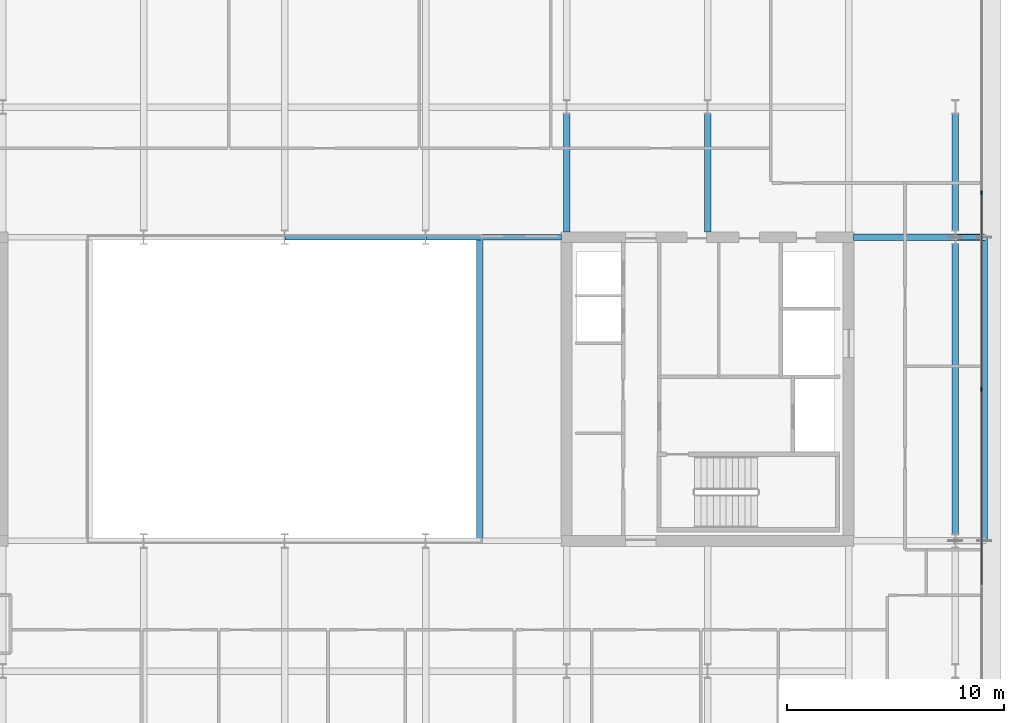
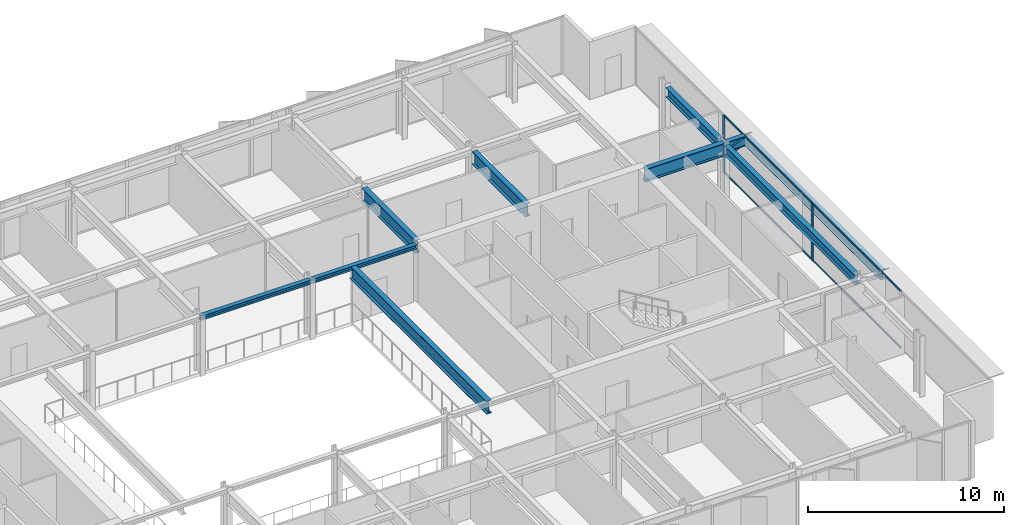
# One storey, part 7 of 19: 10 beams, 7 members, 1 element without a shape of its own.
"""IFC4 building model written with IfcOpenShell, lengths in metres."""

from ifc_helpers import new_model, si_unit, direction, frame, origin, origin_2d, place, context, subcontext, project, spatial, rectangle, hollow_rectangle, i_section, extrude, material, layer, layer_set, material_profile, profile_set, type_object, element, aggregate, save


model = new_model("IFC4")

# Units and contexts
model_context = context("Model", 3, precision=1e-05, world=origin(), true_north=direction((0.0, 1.0)))
body_context = subcontext(model_context, "Body", "Model", "MODEL_VIEW")
ifc_project = project(units=[si_unit("LENGTHUNIT", "METRE"), si_unit("AREAUNIT", "SQUARE_METRE"), si_unit("VOLUMEUNIT", "CUBIC_METRE"), si_unit("PLANEANGLEUNIT", "RADIAN"), si_unit("MASSUNIT", "GRAM", prefix="KILO")], contexts=[model_context])

# Site, building, storey
site_placement = place(None, origin())
site = spatial("IfcSite", under=ifc_project, at=site_placement, CompositionType="ELEMENT")
building_placement = place(site_placement, origin())
building = spatial("IfcBuilding", under=site, at=building_placement, Name="Putna Gate Headquarters", CompositionType="ELEMENT")
storey_placement = place(building_placement, frame((0.0, 0.0, 267.0)))
storey = spatial("IfcBuildingStorey", under=building, at=storey_placement, Name="L67", CompositionType="ELEMENT", Elevation=267.0)

# Beams
ifc_material_1 = material(Name="Steel S355J2", Category="steel")
ifc_material_profile_1 = material_profile(ifc_material_1, i_section(OverallWidth=0.260009765625, OverallDepth=0.260009765625, WebThickness=0.010009765625, FlangeThickness=0.017578125, at=origin_2d()), Name="Steel S355J2")
ifc_profile_set_1 = profile_set([ifc_material_profile_1], Name="Steel S355J2")
beam_type_1 = type_object("IfcBeamType", Name="BM-ATRIUM-HEB260", PredefinedType="BEAM", material=ifc_profile_set_1)
beam_1_placement = place(storey_placement, frame((39.006103515625, 33.0, 3.4580078125), z_axis=(1.0, 0.0, 0.0), x_axis=(0.0, 1.0, 0.0)))
element("IfcBeam", 1, at=beam_1_placement, inside=storey, type_object=beam_type_1, Name="L67 Atrium Edge Beam AN3", PredefinedType="BEAM", context=body_context, shape_type="SweptSolid", body=[
    extrude(i_section(OverallWidth=0.260009765625, OverallDepth=0.260009765625, WebThickness=0.010009765625, FlangeThickness=0.017578125, at=origin_2d()), origin(), (0.0, 0.0, 1.0), 6.48779296875),
])
beam_2_placement = place(storey_placement, frame((45.506103515625, 33.0, 3.4580078125), z_axis=(1.0, 0.0, 0.0), x_axis=(0.0, 1.0, 0.0)))
element("IfcBeam", 2, at=beam_2_placement, inside=storey, type_object=beam_type_1, Name="L67 Atrium Edge Beam AN4", PredefinedType="BEAM", context=body_context, shape_type="SweptSolid", body=[
    extrude(i_section(OverallWidth=0.260009765625, OverallDepth=0.260009765625, WebThickness=0.010009765625, FlangeThickness=0.017578125, at=origin_2d()), origin(), (0.0, 0.0, 1.0), 6.2587890625),
])
ifc_material_profile_2 = material_profile(ifc_material_1, i_section(OverallWidth=0.300048828125, OverallDepth=0.800048828125, WebThickness=0.017578125, FlangeThickness=0.032958984375, at=origin_2d()), Name="Steel S355J2")
ifc_profile_set_2 = profile_set([ifc_material_profile_2], Name="Steel S355J2")
beam_type_2 = type_object("IfcBeamType", Name="BM-GIRD-P-HEB800", PredefinedType="USERDEFINED", material=ifc_profile_set_2)
beam_3_placement = place(storey_placement, frame((65.235107421875, 33.0, 3.18798828125), z_axis=(1.0, 0.0, 0.0), x_axis=(0.0, 1.0, 0.0)))
element("IfcBeam", 3, at=beam_3_placement, inside=storey, type_object=beam_type_2, Name="L67 East Wing Girder Y33", ObjectType="GIRDER", PredefinedType="USERDEFINED", context=body_context, shape_type="SweptSolid", body=[
    extrude(i_section(OverallWidth=0.300048828125, OverallDepth=0.800048828125, WebThickness=0.017578125, FlangeThickness=0.032958984375, at=origin_2d()), origin(), (0.0, 0.0, 1.0), 4.678955078125),
])
for number, where, z_axis, x_axis, name in (
    (4, (52.0, 33.235107421875, 3.18798828125), (0.0, 1.0, 0.0), (-1.0, 0.0, 0.0), "L67 North Primary Girder X52-1"),
    (5, (58.5, 33.235107421875, 3.18798828125), (0.0, 1.0, 0.0), (-1.0, 0.0, 0.0), "L67 North Primary Girder X58-1"),
):
    element("IfcBeam", number, at=place(storey_placement, frame(where, z_axis=z_axis, x_axis=x_axis)), inside=storey, type_object=beam_type_2, Name=name, ObjectType="GIRDER", PredefinedType="USERDEFINED", context=body_context, shape_type="SweptSolid", body=[
        extrude(i_section(OverallWidth=0.300048828125, OverallDepth=0.800048828125, WebThickness=0.017578125, FlangeThickness=0.032958984375, at=origin_2d()), origin(), (0.0, 0.0, 1.0), 5.44287109375),
    ])
beam_4_placement = place(storey_placement, frame((48.0, 19.010009765625, 3.18798828125), z_axis=(0.0, 1.0, 0.0), x_axis=(-1.0, 0.0, 0.0)))
element("IfcBeam", 6, at=beam_4_placement, inside=storey, type_object=beam_type_2, Name="L67 Atrium Trim Girder AE", ObjectType="GIRDER", PredefinedType="USERDEFINED", context=body_context, shape_type="SweptSolid", body=[
    extrude(i_section(OverallWidth=0.300048828125, OverallDepth=0.800048828125, WebThickness=0.017578125, FlangeThickness=0.032958984375, at=origin_2d()), origin(), (0.0, 0.0, 1.0), 13.97998046875),
])
ifc_material_profile_3 = material_profile(ifc_material_1, i_section(OverallWidth=0.300048828125, OverallDepth=0.60009765625, WebThickness=0.015380859375, FlangeThickness=0.030029296875, at=origin_2d()), Name="Steel S355J2")
ifc_profile_set_3 = profile_set([ifc_material_profile_3], Name="Steel S355J2")
beam_type_3 = type_object("IfcBeamType", Name="BM-GIRD-SAIL-HEB600", PredefinedType="USERDEFINED", material=ifc_profile_set_3)
beam_5_placement = place(storey_placement, frame((69.926025390625, 33.0, 3.2880859375), z_axis=(1.0, 0.0, 0.0), x_axis=(0.0, 1.0, 0.0)))
element("IfcBeam", 7, at=beam_5_placement, inside=storey, type_object=beam_type_3, Name="L67 East Sail Outrigger Bracket Y33", ObjectType="GIRDER", PredefinedType="USERDEFINED", context=body_context, shape_type="SweptSolid", body=[
    extrude(i_section(OverallWidth=0.300048828125, OverallDepth=0.60009765625, WebThickness=0.015380859375, FlangeThickness=0.030029296875, at=origin_2d()), origin(), (0.0, 0.0, 1.0), 1.336669921875),
])
ifc_material_profile_4 = material_profile(ifc_material_1, i_section(OverallWidth=0.300048828125, OverallDepth=0.590087890625, WebThickness=0.012939453125, FlangeThickness=0.02490234375, at=origin_2d()), Name="Steel S355J2")
ifc_profile_set_4 = profile_set([ifc_material_profile_4], Name="Steel S355J2")
beam_type_4 = type_object("IfcBeamType", Name="BM-SPAN-Z4-HEA600", PredefinedType="SPANDREL", material=ifc_profile_set_4)
beam_6_placement = place(storey_placement, frame((69.919921875, 19.322021484375, 3.29296875), z_axis=(0.0, 1.0, 0.0), x_axis=(-1.0, 0.0, 0.0)))
element("IfcBeam", 8, at=beam_6_placement, inside=storey, type_object=beam_type_4, Name="L67 E End Spandrel 2", PredefinedType="SPANDREL", context=body_context, shape_type="SweptSolid", body=[
    extrude(i_section(OverallWidth=0.300048828125, OverallDepth=0.590087890625, WebThickness=0.012939453125, FlangeThickness=0.02490234375, at=origin_2d()), origin(), (0.0, 0.0, 1.0), 13.35595703125),
])
beam_7_placement = place(storey_placement, frame((69.919921875, 33.322021484375, 3.29296875), z_axis=(0.0, 1.0, 0.0), x_axis=(-1.0, 0.0, 0.0)))
element("IfcBeam", 9, at=beam_7_placement, inside=storey, type_object=beam_type_4, Name="L67 E End Spandrel 3", PredefinedType="SPANDREL", context=body_context, shape_type="SweptSolid", body=[
    extrude(i_section(OverallWidth=0.300048828125, OverallDepth=0.590087890625, WebThickness=0.012939453125, FlangeThickness=0.02490234375, at=origin_2d()), origin(), (0.0, 0.0, 1.0), 5.35595703125),
])
beam_8_placement = place(storey_placement, frame((71.2626953125, 19.02001953125, 3.29296875), z_axis=(0.0, 1.0, 0.0), x_axis=(-1.0, 0.0, 0.0)))
element("IfcBeam", 10, at=beam_8_placement, inside=storey, type_object=beam_type_4, Name="L67 East Sail Edge Spandrel", PredefinedType="SPANDREL", context=body_context, shape_type="SweptSolid", body=[
    extrude(i_section(OverallWidth=0.300048828125, OverallDepth=0.590087890625, WebThickness=0.012939453125, FlangeThickness=0.02490234375, at=origin_2d()), origin(), (0.0, 0.0, 1.0), 13.9599609375),
])

# Member
ifc_material_2 = material(Name="Steel S460M", Category="steel")
ifc_material_profile_5 = material_profile(ifc_material_2, hollow_rectangle(XDim=0.25, YDim=0.39990234375, WallThickness=0.01611328125, at=origin_2d()), Name="Steel S460M")
ifc_profile_set_5 = profile_set([ifc_material_profile_5], Name="Steel S460M")
member_type_1 = type_object("IfcMemberType", Name="MEM-SAIL-BRACE-RHS400", PredefinedType="BRACE", material=ifc_profile_set_5)
member_1_placement = place(storey_placement, frame((69.93310546875, 33.0, 2.75830078125), z_axis=(0.907794843181, 0.0, 0.41941449986), x_axis=(0.0, 1.0, 0.0)))
element("IfcMember", 11, at=member_1_placement, inside=storey, type_object=member_type_1, Name="L67 East Sail Cantilever Raker Y33", PredefinedType="BRACE", context=body_context, shape_type="SweptSolid", body=[
    extrude(hollow_rectangle(XDim=0.25, YDim=0.39990234375, WallThickness=0.01611328125, at=origin_2d()), origin(), (0.0, 0.0, 1.0), 1.43359375),
])

# Curtain wall, members
ifc_material_3 = material(Name="Anodised bronze aluminium curtain wall", Category="aluminium")
ifc_layer = layer(ifc_material_3, 0.179931640625)
ifc_layer_set = layer_set([ifc_layer], Name="Anodised bronze aluminium curtain wall")
curtain_wall_type = type_object("IfcCurtainWallType", Name="CW-SYS-Z5", PredefinedType="USERDEFINED", material=ifc_layer_set)
curtain_wall_placement = place(storey_placement, origin())
curtain_wall = element("IfcCurtainWall", 12, at=curtain_wall_placement, inside=storey, type_object=curtain_wall_type, Name="L67 East Curtain Wall", ObjectType="STICK CURTAIN WALL", PredefinedType="USERDEFINED")
ifc_material_4 = material(Name="Anodised bronze aluminium EN AW-6060", Category="aluminium")
ifc_material_profile_6 = material_profile(ifc_material_4, rectangle(XDim=0.070068359375, YDim=0.179931640625, at=origin_2d()), Name="Anodised bronze aluminium EN AW-6060")
ifc_profile_set_6 = profile_set([ifc_material_profile_6], Name="Anodised bronze aluminium EN AW-6060")
member_type_2 = type_object("IfcMemberType", Name="MULL-CWM-5", PredefinedType="MULLION", material=ifc_profile_set_6)
member_2_placement = place(storey_placement, frame((71.135009765625, 26.0, 0.0), z_axis=(0.0, 0.0, 1.0), x_axis=(-1.0, 0.0, 0.0)))
member_2 = element("IfcMember", 13, at=member_2_placement, type_object=member_type_2, Name="CWS-5 mullion 3", PredefinedType="MULLION", context=body_context, shape_type="SweptSolid", body=[
    extrude(rectangle(XDim=0.070068359375, YDim=0.179931640625, at=origin_2d()), origin(), (0.0, 0.0, 1.0), 3.587890625),
])
member_3_placement = place(storey_placement, frame((71.135009765625, 35.050048828125, 0.0), z_axis=(0.0, 0.0, 1.0), x_axis=(-1.0, 0.0, 0.0)))
member_3 = element("IfcMember", 14, at=member_3_placement, type_object=member_type_2, Name="CWS-5 mullion 4", PredefinedType="MULLION", context=body_context, shape_type="SweptSolid", body=[
    extrude(rectangle(XDim=0.070068359375, YDim=0.179931640625, at=origin_2d()), origin(), (0.0, 0.0, 1.0), 3.587890625),
])
ifc_material_profile_7 = material_profile(ifc_material_4, rectangle(XDim=0.06005859375, YDim=0.10009765625, at=origin_2d()), Name="Anodised bronze aluminium EN AW-6060")
ifc_profile_set_7 = profile_set([ifc_material_profile_7], Name="Anodised bronze aluminium EN AW-6060")
member_type_3 = type_object("IfcMemberType", Name="TRAN-CWT-5", PredefinedType="USERDEFINED", material=ifc_profile_set_7)
member_4_placement = place(storey_placement, frame((71.135009765625, 16.985107421875, 0.030029296875), z_axis=(0.0, 1.0, 0.0), x_axis=(-1.0, 0.0, 0.0)))
member_4 = element("IfcMember", 15, at=member_4_placement, type_object=member_type_3, Name="CWS-5 transom 2.1", ObjectType="TRANSOM", PredefinedType="USERDEFINED", context=body_context, shape_type="SweptSolid", body=[
    extrude(rectangle(XDim=0.06005859375, YDim=0.10009765625, at=origin_2d()), origin(), (0.0, 0.0, 1.0), 8.97998046875),
])
member_5_placement = place(storey_placement, frame((71.135009765625, 16.985107421875, 3.55810546875), z_axis=(0.0, 1.0, 0.0), x_axis=(-1.0, 0.0, 0.0)))
member_5 = element("IfcMember", 16, at=member_5_placement, type_object=member_type_3, Name="CWS-5 transom 2.2", ObjectType="TRANSOM", PredefinedType="USERDEFINED", context=body_context, shape_type="SweptSolid", body=[
    extrude(rectangle(XDim=0.06005859375, YDim=0.10009765625, at=origin_2d()), origin(), (0.0, 0.0, 1.0), 8.97998046875),
])
member_6_placement = place(storey_placement, frame((71.135009765625, 26.034912109375, 0.030029296875), z_axis=(0.0, 1.0, 0.0), x_axis=(-1.0, 0.0, 0.0)))
member_6 = element("IfcMember", 17, at=member_6_placement, type_object=member_type_3, Name="CWS-5 transom 3.1", ObjectType="TRANSOM", PredefinedType="USERDEFINED", context=body_context, shape_type="SweptSolid", body=[
    extrude(rectangle(XDim=0.06005859375, YDim=0.10009765625, at=origin_2d()), origin(), (0.0, 0.0, 1.0), 8.97998046875),
])
member_7_placement = place(storey_placement, frame((71.135009765625, 26.034912109375, 3.55810546875), z_axis=(0.0, 1.0, 0.0), x_axis=(-1.0, 0.0, 0.0)))
member_7 = element("IfcMember", 18, at=member_7_placement, type_object=member_type_3, Name="CWS-5 transom 3.2", ObjectType="TRANSOM", PredefinedType="USERDEFINED", context=body_context, shape_type="SweptSolid", body=[
    extrude(rectangle(XDim=0.06005859375, YDim=0.10009765625, at=origin_2d()), origin(), (0.0, 0.0, 1.0), 8.97998046875),
])
aggregate(curtain_wall, [member_2, member_3, member_4, member_5, member_6, member_7])

save(model, "model.ifc")
